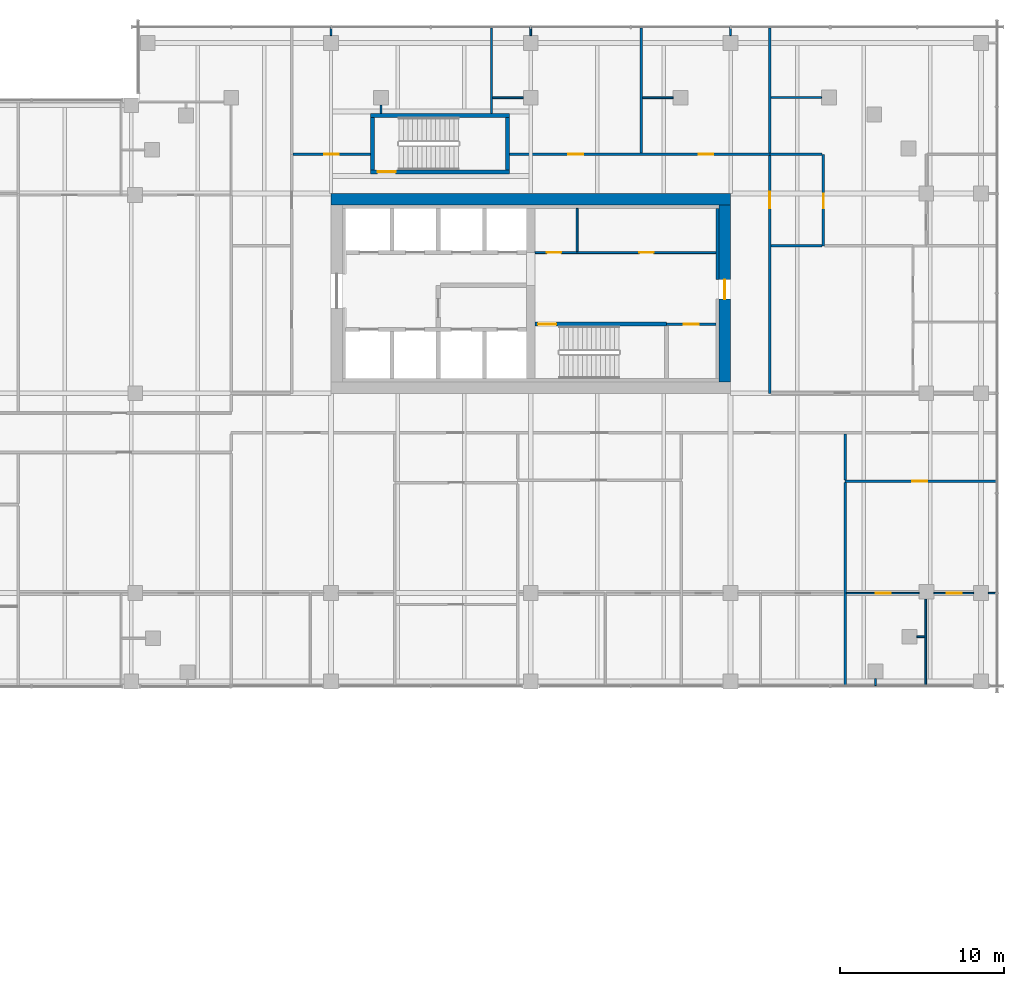
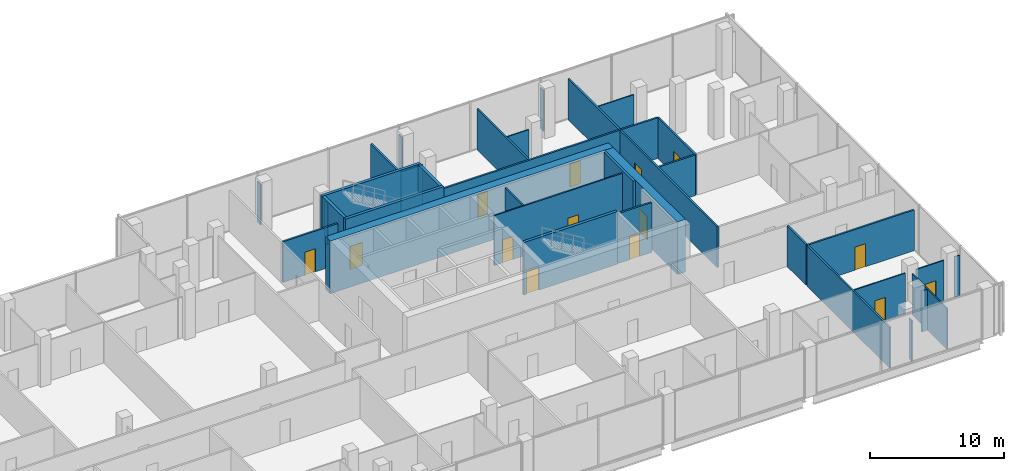
# One storey, part 28 of 33: 36 walls, 14 doors, 14 openings.
"""IFC4 building model written with IfcOpenShell, lengths in metres."""

from ifc_helpers import new_model, si_unit, direction, frame, frame_2d, origin, place, context, subcontext, project, spatial, rectangle, extrude, source, transform, mapped, material, layer, layer_set, type_object, element, fill, save


model = new_model("IFC4")

# Units and contexts
model_context = context("Model", 3, precision=1e-05, world=origin(), true_north=direction((0.0, 1.0)))
body_context = subcontext(model_context, "Body", "Model", "MODEL_VIEW")
ifc_project = project(units=[si_unit("LENGTHUNIT", "METRE"), si_unit("AREAUNIT", "SQUARE_METRE"), si_unit("VOLUMEUNIT", "CUBIC_METRE"), si_unit("PLANEANGLEUNIT", "RADIAN"), si_unit("MASSUNIT", "GRAM", prefix="KILO")], contexts=[model_context])

# Site, building, storey
site_placement = place(None, origin())
site = spatial("IfcSite", under=ifc_project, at=site_placement, CompositionType="ELEMENT")
building_placement = place(site_placement, origin())
building = spatial("IfcBuilding", under=site, at=building_placement, Name="Tessera Gate Towers", CompositionType="ELEMENT")
storey_placement = place(building_placement, frame((0.0, 0.0, 7.199951171875)))
storey = spatial("IfcBuildingStorey", under=building, at=storey_placement, Name="L01", CompositionType="ELEMENT", Elevation=7.199951171875)

# Wall, opening, door
ifc_material_1 = material(Name="Concrete C40/50", Category="concrete")
ifc_layer_1 = layer(ifc_material_1, 0.25)
ifc_layer_set_1 = layer_set([ifc_layer_1], Name="CORE ENCLOSURE WALL 250")
wall_type_1 = type_object("IfcWallType", Name="CORE ENCLOSURE WALL 250", PredefinedType="SOLIDWALL", material=ifc_layer_set_1)
wall_1_placement = place(storey_placement, frame((118.10009765625, 40.824951171875, 0.0), z_axis=(0.0, 0.0, 1.0), x_axis=(-1.0, 0.0, 0.0)))
wall_1 = element("IfcWall", 1, at=wall_1_placement, inside=storey, type_object=wall_type_1, Name="L01 shaft and stair enclosure wall", PredefinedType="SOLIDWALL", context=body_context, shape_type="SweptSolid", body=[
    extrude(rectangle(XDim=8.050048828125, YDim=0.25, at=frame_2d((4.02490234375, 0.0))), origin(), (0.0, 0.0, 1.0), 4.800048828125),
])
shared_shape_1 = source(origin(), body_context, "Body", "SweptSolid", [
    extrude(rectangle(XDim=1.10009765625, YDim=2.10009765625, at=frame_2d((0.550048828125, 1.050048828125))), frame((0.0, 0.135009765625, 0.0), z_axis=(0.0, -1.0, 0.0), x_axis=(1.0, 0.0, 0.0)), (0.0, 0.0, 1.0), 0.27001953125),
])
opening_1_placement = place(wall_1_placement, frame((6.75, 0.0, 0.0)))
opening_1 = element("IfcOpeningElement", 2, at=opening_1_placement, cuts=wall_1, Name="Opening SD-ST6-1", PredefinedType="OPENING", context=body_context, shape_type="MappedRepresentation", body=[
    mapped(shared_shape_1, transform((0.0, 0.0, 0.0), scale=1.0)),
])
ifc_material_2 = material(Name="Hollow steel fire door", Category="steel")
door_type_1 = type_object("IfcDoorType", Name="CORE DOOR SD1100 1100x2100", OperationType="NOTDEFINED", PredefinedType="DOOR", material=ifc_material_2)
shared_shape_2 = source(origin(), body_context, "Body", "SweptSolid", [
    extrude(rectangle(XDim=1.10009765625, YDim=2.10009765625, at=frame_2d((0.550048828125, 1.050048828125))), frame((0.0, 0.02490234375, 0.0), z_axis=(0.0, -1.0, 0.0), x_axis=(1.0, 0.0, 0.0)), (0.0, 0.0, 1.0), 0.050048828125),
])
door_1_placement = place(opening_1_placement, origin())
door_1 = element("IfcDoor", 3, at=door_1_placement, inside=storey, type_object=door_type_1, Name="Stair door", OperationType="SINGLE_SWING_RIGHT", OverallHeight=2.10009765625, OverallWidth=1.10009765625, PredefinedType="DOOR", context=body_context, shape_type="MappedRepresentation", body=[
    mapped(shared_shape_2, transform((0.0, 0.0, 0.0), scale=1.0)),
])
fill(opening_1, door_1)

wall_2_placement = place(storey_placement, frame((108.5, 50.125, 0.0), z_axis=(0.0, 0.0, 1.0), x_axis=(-1.0, 0.0, 0.0)))
wall_2 = element("IfcWall", 4, at=wall_2_placement, inside=storey, type_object=wall_type_1, Name="L01 ST7 enclosure wall", PredefinedType="SOLIDWALL", context=body_context, shape_type="SweptSolid", body=[
    extrude(rectangle(XDim=8.5, YDim=0.25, at=frame_2d((4.25, 0.0))), origin(), (0.0, 0.0, 1.0), 4.800048828125),
])
opening_2_placement = place(wall_2_placement, frame((6.949951171875, 0.0, 0.0)))
opening_2 = element("IfcOpeningElement", 5, at=opening_2_placement, cuts=wall_2, Name="Opening SD-ST7-1", PredefinedType="OPENING", context=body_context, shape_type="MappedRepresentation", body=[
    mapped(shared_shape_1, transform((0.0, 0.0, 0.0), scale=1.0)),
])
door_2_placement = place(opening_2_placement, origin())
door_2 = element("IfcDoor", 6, at=door_2_placement, inside=storey, type_object=door_type_1, Name="Stair door", OperationType="SINGLE_SWING_RIGHT", OverallHeight=2.10009765625, OverallWidth=1.10009765625, PredefinedType="DOOR", context=body_context, shape_type="MappedRepresentation", body=[
    mapped(shared_shape_2, transform((0.0, 0.0, 0.0), scale=1.0)),
])
fill(opening_2, door_2)

# Walls
wall_3_placement = place(storey_placement, frame((100.125, 50.25, 0.0), z_axis=(0.0, 0.0, 1.0), x_axis=(0.0, 1.0, 0.0)))
element("IfcWall", 7, at=wall_3_placement, inside=storey, type_object=wall_type_1, Name="L01 ST7 enclosure wall", PredefinedType="SOLIDWALL", context=body_context, shape_type="SweptSolid", body=[
    extrude(rectangle(XDim=3.199951171875, YDim=0.25, at=frame_2d((1.60009765625, 0.0))), origin(), (0.0, 0.0, 1.0), 4.800048828125),
])
wall_4_placement = place(storey_placement, frame((100.0, 53.574951171875, 0.0), z_axis=(0.0, 0.0, 1.0), x_axis=(1.0, 0.0, 0.0)))
element("IfcWall", 8, at=wall_4_placement, inside=storey, type_object=wall_type_1, Name="L01 ST7 enclosure wall", PredefinedType="SOLIDWALL", context=body_context, shape_type="SweptSolid", body=[
    extrude(rectangle(XDim=8.5, YDim=0.25, at=frame_2d((4.25, 0.0))), origin(), (0.0, 0.0, 1.0), 4.800048828125),
])
wall_5_placement = place(storey_placement, frame((108.375, 53.449951171875, 0.0), z_axis=(0.0, 0.0, 1.0), x_axis=(0.0, -1.0, 0.0)))
element("IfcWall", 9, at=wall_5_placement, inside=storey, type_object=wall_type_1, Name="L01 ST7 enclosure wall", PredefinedType="SOLIDWALL", context=body_context, shape_type="SweptSolid", body=[
    extrude(rectangle(XDim=3.199951171875, YDim=0.25, at=frame_2d((1.60009765625, 0.0))), origin(), (0.0, 0.0, 1.0), 4.800048828125),
])

# Wall, openings, doors
ifc_material_3 = material(Name="Gypsum board on steel studs", Category="steel")
ifc_layer_2 = layer(ifc_material_3, 0.1201171875)
ifc_layer_set_2 = layer_set([ifc_layer_2], Name="CORE PARTITION 120")
wall_type_2 = type_object("IfcWallType", Name="CORE PARTITION 120", PredefinedType="PARTITIONING", material=ifc_layer_set_2)
wall_6_placement = place(storey_placement, frame((110.050048828125, 45.199951171875, 0.0), z_axis=(0.0, 0.0, 1.0), x_axis=(1.0, 0.0, 0.0)))
wall_6 = element("IfcWall", 10, at=wall_6_placement, inside=storey, type_object=wall_type_2, Name="L01 core partition", PredefinedType="PARTITIONING", context=body_context, shape_type="SweptSolid", body=[
    extrude(rectangle(XDim=11.050048828125, YDim=0.1201171875, at=frame_2d((5.52490234375, 0.0))), origin(), (0.0, 0.0, 1.0), 4.550048828125),
])
shared_shape_3 = source(origin(), body_context, "Body", "SweptSolid", [
    extrude(rectangle(XDim=0.89990234375, YDim=2.10009765625, at=frame_2d((0.449951171875, 1.050048828125))), frame((0.0, 0.070068359375, 0.0), z_axis=(0.0, -1.0, 0.0), x_axis=(1.0, 0.0, 0.0)), (0.0, 0.0, 1.0), 0.14013671875),
])
opening_3_placement = place(wall_6_placement, frame((0.71240234375, 0.0, 0.0)))
opening_3 = element("IfcOpeningElement", 11, at=opening_3_placement, cuts=wall_6, Name="Opening RD-T2-03-04", PredefinedType="OPENING", context=body_context, shape_type="MappedRepresentation", body=[
    mapped(shared_shape_3, transform((0.0, 0.0, 0.0), scale=1.0)),
])
opening_4_placement = place(wall_6_placement, frame((6.362548828125, 0.0, 0.0)))
opening_4 = element("IfcOpeningElement", 12, at=opening_4_placement, cuts=wall_6, Name="Opening RD-T2-03-05", PredefinedType="OPENING", context=body_context, shape_type="MappedRepresentation", body=[
    mapped(shared_shape_3, transform((0.0, 0.0, 0.0), scale=1.0)),
])
ifc_material_4 = material(Name="Hollow steel fire door", Category="steel")
door_type_2 = type_object("IfcDoorType", Name="CORE DOOR RD 900x2100", OperationType="NOTDEFINED", PredefinedType="DOOR", material=ifc_material_4)
shared_shape_4 = source(origin(), body_context, "Body", "SweptSolid", [
    extrude(rectangle(XDim=0.89990234375, YDim=2.10009765625, at=frame_2d((0.449951171875, 1.050048828125))), frame((0.0, 0.02490234375, 0.0), z_axis=(0.0, -1.0, 0.0), x_axis=(1.0, 0.0, 0.0)), (0.0, 0.0, 1.0), 0.050048828125),
])
door_3_placement = place(opening_3_placement, origin())
door_3 = element("IfcDoor", 13, at=door_3_placement, inside=storey, type_object=door_type_2, Name="Core room door", OperationType="SINGLE_SWING_LEFT", OverallHeight=2.10009765625, OverallWidth=0.89990234375, PredefinedType="DOOR", context=body_context, shape_type="MappedRepresentation", body=[
    mapped(shared_shape_4, transform((0.0, 0.0, 0.0), scale=1.0)),
])
fill(opening_3, door_3)
door_4_placement = place(opening_4_placement, origin())
door_4 = element("IfcDoor", 14, at=door_4_placement, inside=storey, type_object=door_type_2, Name="Core room door", OperationType="SINGLE_SWING_RIGHT", OverallHeight=2.10009765625, OverallWidth=0.89990234375, PredefinedType="DOOR", context=body_context, shape_type="MappedRepresentation", body=[
    mapped(shared_shape_4, transform((0.0, 0.0, 0.0), scale=1.0)),
])
fill(opening_4, door_4)

# Walls
wall_7_placement = place(storey_placement, frame((112.625, 45.260009765625, 0.0), z_axis=(0.0, 0.0, 1.0), x_axis=(0.0, 1.0, 0.0)))
element("IfcWall", 15, at=wall_7_placement, inside=storey, type_object=wall_type_2, Name="L01 core partition", PredefinedType="PARTITIONING", context=body_context, shape_type="SweptSolid", body=[
    extrude(rectangle(XDim=2.639892578125, YDim=0.1201171875, at=frame_2d((1.31982421875, 0.0))), origin(), (0.0, 0.0, 1.0), 4.550048828125),
])
ifc_material_5 = material(Name="Concrete C60/75", Category="concrete")
ifc_layer_3 = layer(ifc_material_5, 0.699951171875)
ifc_layer_set_3 = layer_set([ifc_layer_3], Name="CORE SHEAR WALL 700 C60/75")
wall_type_3 = type_object("IfcWallType", Name="CORE SHEAR WALL 700 C60/75", PredefinedType="SHEAR", material=ifc_layer_set_3)
wall_8_placement = place(storey_placement, frame((97.60009765625, 48.449951171875, 0.0), z_axis=(0.0, 0.0, 1.0), x_axis=(1.0, 0.0, 0.0)))
element("IfcWall", 16, at=wall_8_placement, inside=storey, type_object=wall_type_3, Name="Core wall N L01", PredefinedType="SHEAR", context=body_context, shape_type="SweptSolid", body=[
    extrude(rectangle(XDim=24.39990234375, YDim=0.699951171875, at=frame_2d((12.199951171875, 0.0))), origin(), (0.0, 0.0, 1.0), 4.800048828125),
])

# Wall, opening, door
wall_9_placement = place(storey_placement, frame((121.64990234375, 48.10009765625, 0.0), z_axis=(0.0, 0.0, 1.0), x_axis=(0.0, -1.0, 0.0)))
wall_9 = element("IfcWall", 17, at=wall_9_placement, inside=storey, type_object=wall_type_3, Name="Core wall E L01", PredefinedType="SHEAR", context=body_context, shape_type="SweptSolid", body=[
    extrude(rectangle(XDim=10.800048828125, YDim=0.699951171875, at=frame_2d((5.39990234375, 0.0))), origin(), (0.0, 0.0, 1.0), 4.800048828125),
])
shared_shape_5 = source(origin(), body_context, "Body", "SweptSolid", [
    extrude(rectangle(XDim=1.199951171875, YDim=2.10009765625, at=frame_2d((0.60009765625, 1.050048828125))), frame((0.0, 0.35986328125, 0.0), z_axis=(0.0, -1.0, 0.0), x_axis=(1.0, 0.0, 0.0)), (0.0, 0.0, 1.0), 0.719970703125),
])
opening_5_placement = place(wall_9_placement, frame((4.550048828125, 0.0, 0.0)))
opening_5 = element("IfcOpeningElement", 18, at=opening_5_placement, cuts=wall_9, Name="Opening ED-T2-03-02", PredefinedType="OPENING", context=body_context, shape_type="MappedRepresentation", body=[
    mapped(shared_shape_5, transform((0.0, 0.0, 0.0), scale=1.0)),
])
ifc_material_6 = material(Name="Hollow steel fire door", Category="steel")
door_type_3 = type_object("IfcDoorType", Name="CORE DOOR ED 1200x2100", OperationType="NOTDEFINED", PredefinedType="DOOR", material=ifc_material_6)
shared_shape_6 = source(origin(), body_context, "Body", "SweptSolid", [
    extrude(rectangle(XDim=1.199951171875, YDim=2.10009765625, at=frame_2d((0.60009765625, 1.050048828125))), frame((0.0, 0.02490234375, 0.0), z_axis=(0.0, -1.0, 0.0), x_axis=(1.0, 0.0, 0.0)), (0.0, 0.0, 1.0), 0.050048828125),
])
door_5_placement = place(opening_5_placement, origin())
door_5 = element("IfcDoor", 19, at=door_5_placement, inside=storey, type_object=door_type_3, Name="Core exit door", OperationType="SINGLE_SWING_LEFT", OverallHeight=2.10009765625, OverallWidth=1.199951171875, PredefinedType="DOOR", context=body_context, shape_type="MappedRepresentation", body=[
    mapped(shared_shape_6, transform((0.0, 0.0, 0.0), scale=1.0)),
])
fill(opening_5, door_5)

# Wall
ifc_material_7 = material(Name="Concrete C60/75", Category="concrete")
ifc_layer_4 = layer(ifc_material_7, 0.199951171875)
ifc_layer_set_4 = layer_set([ifc_layer_4], Name="CORE WALL THICKENING 200")
wall_type_4 = type_object("IfcWallType", Name="CORE WALL THICKENING 200", PredefinedType="SOLIDWALL", material=ifc_layer_set_4)
wall_10_placement = place(storey_placement, frame((121.199951171875, 43.550048828125, 0.0), z_axis=(0.0, 0.0, 1.0), x_axis=(0.0, 1.0, 0.0)))
element("IfcWall", 20, at=wall_10_placement, inside=storey, type_object=wall_type_4, Name="Core wall thickening E L01", PredefinedType="SOLIDWALL", context=body_context, shape_type="SweptSolid", body=[
    extrude(rectangle(XDim=4.349853515625, YDim=0.199951171875, at=frame_2d((2.1748046875, 0.0))), origin(), (0.0, 0.0, 1.0), 4.800048828125),
])

# Wall, opening, door
ifc_material_8 = material(Name="Gypsum board on steel studs, mineral wool", Category="steel")
ifc_layer_5 = layer(ifc_material_8, 0.14990234375)
ifc_layer_set_5 = layer_set([ifc_layer_5], Name="CORRIDOR WALL 150")
wall_type_5 = type_object("IfcWallType", Name="CORRIDOR WALL 150", PredefinedType="PARTITIONING", material=ifc_layer_set_5)
wall_11_placement = place(storey_placement, frame((124.39990234375, 51.1240234375, 0.0), z_axis=(0.0, 0.0, 1.0), x_axis=(0.0, -1.0, 0.0)))
wall_11 = element("IfcWall", 21, at=wall_11_placement, inside=storey, type_object=wall_type_5, Name="PODIUM-L01-PW-075", PredefinedType="PARTITIONING", context=body_context, shape_type="SweptSolid", body=[
    extrude(rectangle(XDim=14.52392578125, YDim=0.14990234375, at=frame_2d((7.261962890625, 0.0))), origin(), (0.0, 0.0, 1.0), 3.715087890625),
])
shared_shape_7 = source(origin(), body_context, "Body", "SweptSolid", [
    extrude(rectangle(XDim=1.0, YDim=2.10009765625, at=frame_2d((0.5, 1.050048828125))), frame((0.0, 0.0849609375, 0.0), z_axis=(0.0, -1.0, 0.0), x_axis=(1.0, 0.0, 0.0)), (0.0, 0.0, 1.0), 0.169921875),
])
opening_6_placement = place(wall_11_placement, frame((2.222900390625, 0.0, 0.0)))
opening_6 = element("IfcOpeningElement", 22, at=opening_6_placement, cuts=wall_11, Name="Opening D2100FD60-P02-02", PredefinedType="OPENING", context=body_context, shape_type="MappedRepresentation", body=[
    mapped(shared_shape_7, transform((0.0, 0.0, 0.0), scale=1.0)),
])
ifc_material_9 = material(Name="Timber door leaf in steel frame", Category="steel")
door_type_4 = type_object("IfcDoorType", Name="TENANCY ENTRANCE DOOR 1000 FD60", OperationType="NOTDEFINED", PredefinedType="DOOR", material=ifc_material_9)
shared_shape_8 = source(origin(), body_context, "Body", "SweptSolid", [
    extrude(rectangle(XDim=1.0, YDim=2.10009765625, at=frame_2d((0.5, 1.050048828125))), frame((0.0, 0.02490234375, 0.0), z_axis=(0.0, -1.0, 0.0), x_axis=(1.0, 0.0, 0.0)), (0.0, 0.0, 1.0), 0.050048828125),
])
door_6_placement = place(opening_6_placement, origin())
door_6 = element("IfcDoor", 23, at=door_6_placement, inside=storey, type_object=door_type_4, Name="PODIUM-L01-PD-018", OperationType="SINGLE_SWING_RIGHT", OverallHeight=2.10009765625, OverallWidth=1.0, PredefinedType="DOOR", context=body_context, shape_type="MappedRepresentation", body=[
    mapped(shared_shape_8, transform((0.0, 0.0, 0.0), scale=1.0)),
])
fill(opening_6, door_6)

wall_12_placement = place(storey_placement, frame((95.27587890625, 51.199951171875, 0.0), z_axis=(0.0, 0.0, 1.0), x_axis=(1.0, 0.0, 0.0)))
wall_12 = element("IfcWall", 24, at=wall_12_placement, inside=storey, type_object=wall_type_5, Name="PODIUM-L01-PW-114", PredefinedType="PARTITIONING", context=body_context, shape_type="SweptSolid", body=[
    extrude(rectangle(XDim=4.72412109375, YDim=0.14990234375, at=frame_2d((2.362060546875, 0.0))), origin(), (0.0, 0.0, 1.0), 3.715087890625),
])
shared_shape_9 = source(origin(), body_context, "Body", "SweptSolid", [
    extrude(rectangle(XDim=0.89990234375, YDim=2.10009765625, at=frame_2d((0.449951171875, 1.050048828125))), frame((0.0, 0.0849609375, 0.0), z_axis=(0.0, -1.0, 0.0), x_axis=(1.0, 0.0, 0.0)), (0.0, 0.0, 1.0), 0.169921875),
])
opening_7_placement = place(wall_12_placement, frame((1.89990234375, 0.0, 0.0)))
opening_7 = element("IfcOpeningElement", 25, at=opening_7_placement, cuts=wall_12, Name="Opening D890FD60-P02-01", PredefinedType="OPENING", context=body_context, shape_type="MappedRepresentation", body=[
    mapped(shared_shape_9, transform((0.0, 0.0, 0.0), scale=1.0)),
])
ifc_material_10 = material(Name="Timber door leaf in steel frame", Category="steel")
door_type_5 = type_object("IfcDoorType", Name="CORRIDOR DOOR 900 FD60", OperationType="NOTDEFINED", PredefinedType="DOOR", material=ifc_material_10)
door_7_placement = place(opening_7_placement, origin())
door_7 = element("IfcDoor", 26, at=door_7_placement, inside=storey, type_object=door_type_5, Name="PODIUM-L01-PD-014", OperationType="SINGLE_SWING_LEFT", OverallHeight=2.10009765625, OverallWidth=0.89990234375, PredefinedType="DOOR", context=body_context, shape_type="MappedRepresentation", body=[
    mapped(shared_shape_4, transform((0.0, 0.0, 0.0), scale=1.0)),
])
fill(opening_7, door_7)

# Wall, openings, doors
wall_13_placement = place(storey_placement, frame((108.5, 51.199951171875, 0.0), z_axis=(0.0, 0.0, 1.0), x_axis=(1.0, 0.0, 0.0)))
wall_13 = element("IfcWall", 27, at=wall_13_placement, inside=storey, type_object=wall_type_5, Name="PODIUM-L01-PW-115", PredefinedType="PARTITIONING", context=body_context, shape_type="SweptSolid", body=[
    extrude(rectangle(XDim=15.89990234375, YDim=0.14990234375, at=frame_2d((7.949951171875, 0.0))), origin(), (0.0, 0.0, 1.0), 3.715087890625),
])
opening_8_placement = place(wall_13_placement, frame((11.551025390625, 0.0, 0.0)))
opening_8 = element("IfcOpeningElement", 28, at=opening_8_placement, cuts=wall_13, Name="Opening D890FD60-P02-03", PredefinedType="OPENING", context=body_context, shape_type="MappedRepresentation", body=[
    mapped(shared_shape_9, transform((0.0, 0.0, 0.0), scale=1.0)),
])
opening_9_placement = place(wall_13_placement, frame((3.60009765625, 0.0, 0.0)))
opening_9 = element("IfcOpeningElement", 29, at=opening_9_placement, cuts=wall_13, Name="Opening D890FD60-P02-04", PredefinedType="OPENING", context=body_context, shape_type="MappedRepresentation", body=[
    mapped(shared_shape_9, transform((0.0, 0.0, 0.0), scale=1.0)),
])
door_8_placement = place(opening_8_placement, origin())
door_8 = element("IfcDoor", 30, at=door_8_placement, inside=storey, type_object=door_type_5, Name="PODIUM-L01-PD-032", OperationType="SINGLE_SWING_LEFT", OverallHeight=2.10009765625, OverallWidth=0.89990234375, PredefinedType="DOOR", context=body_context, shape_type="MappedRepresentation", body=[
    mapped(shared_shape_4, transform((0.0, 0.0, 0.0), scale=1.0)),
])
fill(opening_8, door_8)
door_9_placement = place(opening_9_placement, origin())
door_9 = element("IfcDoor", 31, at=door_9_placement, inside=storey, type_object=door_type_5, Name="PODIUM-L01-PD-033", OperationType="SINGLE_SWING_LEFT", OverallHeight=2.10009765625, OverallWidth=0.89990234375, PredefinedType="DOOR", context=body_context, shape_type="MappedRepresentation", body=[
    mapped(shared_shape_4, transform((0.0, 0.0, 0.0), scale=1.0)),
])
fill(opening_9, door_9)

# Walls
ifc_material_11 = material(Name="Gypsum board on steel studs", Category="steel")
ifc_layer_6 = layer(ifc_material_11, 0.10009765625)
ifc_layer_set_6 = layer_set([ifc_layer_6], Name="PARTITION 100")
wall_type_6 = type_object("IfcWallType", Name="PARTITION 100", PredefinedType="PARTITIONING", material=ifc_layer_set_6)
wall_14_placement = place(storey_placement, frame((133.922119140625, 18.800048828125, 0.0), z_axis=(0.0, 0.0, 1.0), x_axis=(0.0, 1.0, 0.0)))
element("IfcWall", 32, at=wall_14_placement, inside=storey, type_object=wall_type_6, Name="PODIUM-L01-PW-022", PredefinedType="PARTITIONING", context=body_context, shape_type="SweptSolid", body=[
    extrude(rectangle(XDim=5.239013671875, YDim=0.10009765625, at=frame_2d((2.61962890625, 0.0))), origin(), (0.0, 0.0, 1.0), 3.715087890625),
])
wall_15_placement = place(storey_placement, frame((130.85595703125, 19.180908203125, 0.0), z_axis=(0.0, 0.0, 1.0), x_axis=(0.0, -1.0, 0.0)))
element("IfcWall", 33, at=wall_15_placement, inside=storey, type_object=wall_type_6, Name="PODIUM-L01-PW-024", PredefinedType="PARTITIONING", context=body_context, shape_type="SweptSolid", body=[
    extrude(rectangle(XDim=0.430908203125, YDim=0.10009765625, at=frame_2d((0.21533203125, 0.0))), origin(), (0.0, 0.0, 1.0), 3.715087890625),
])
wall_16_placement = place(storey_placement, frame((133.3759765625, 21.73095703125, 0.0), z_axis=(0.0, 0.0, 1.0), x_axis=(1.0, 0.0, 0.0)))
element("IfcWall", 34, at=wall_16_placement, inside=storey, type_object=wall_type_6, Name="PODIUM-L01-PW-027", PredefinedType="PARTITIONING", context=body_context, shape_type="SweptSolid", body=[
    extrude(rectangle(XDim=0.49609375, YDim=0.10009765625, at=frame_2d((0.248046875, 0.0))), origin(), (0.0, 0.0, 1.0), 3.715087890625),
])

# Wall, opening, door
wall_17_placement = place(storey_placement, frame((133.51611328125, 24.39990234375, 0.0), z_axis=(0.0, 0.0, 1.0), x_axis=(-1.0, 0.0, 0.0)))
wall_17 = element("IfcWall", 35, at=wall_17_placement, inside=storey, type_object=wall_type_6, Name="PODIUM-L01-PW-048", PredefinedType="PARTITIONING", context=body_context, shape_type="SweptSolid", body=[
    extrude(rectangle(XDim=4.440185546875, YDim=0.10009765625, at=frame_2d((2.22021484375, 0.0))), origin(), (0.0, 0.0, 1.0), 3.715087890625),
])
shared_shape_10 = source(origin(), body_context, "Body", "SweptSolid", [
    extrude(rectangle(XDim=0.89990234375, YDim=2.10009765625, at=frame_2d((0.449951171875, 1.050048828125))), frame((0.0, 0.06005859375, 0.0), z_axis=(0.0, -1.0, 0.0), x_axis=(1.0, 0.0, 0.0)), (0.0, 0.0, 1.0), 0.1201171875),
])
opening_10_placement = place(wall_17_placement, frame((1.739990234375, 0.0, 0.0)))
opening_10 = element("IfcOpeningElement", 36, at=opening_10_placement, cuts=wall_17, Name="Opening D190-P02-04", PredefinedType="OPENING", context=body_context, shape_type="MappedRepresentation", body=[
    mapped(shared_shape_10, transform((0.0, 0.0, 0.0), scale=1.0)),
])
ifc_material_12 = material(Name="Timber door leaf in steel frame", Category="steel")
door_type_6 = type_object("IfcDoorType", Name="INTERNAL DOOR 900 NOT RATED", OperationType="NOTDEFINED", PredefinedType="DOOR", material=ifc_material_12)
door_10_placement = place(opening_10_placement, origin())
door_10 = element("IfcDoor", 37, at=door_10_placement, inside=storey, type_object=door_type_6, Name="PODIUM-L01-PD-009", OperationType="SINGLE_SWING_RIGHT", OverallHeight=2.10009765625, OverallWidth=0.89990234375, PredefinedType="DOOR", context=body_context, shape_type="MappedRepresentation", body=[
    mapped(shared_shape_4, transform((0.0, 0.0, 0.0), scale=1.0)),
])
fill(opening_10, door_10)

wall_18_placement = place(storey_placement, frame((136.84912109375, 24.39990234375, 0.0), z_axis=(0.0, 0.0, 1.0), x_axis=(-1.0, 0.0, 0.0)))
wall_18 = element("IfcWall", 38, at=wall_18_placement, inside=storey, type_object=wall_type_6, Name="PODIUM-L01-PW-049", PredefinedType="PARTITIONING", context=body_context, shape_type="SweptSolid", body=[
    extrude(rectangle(XDim=2.43115234375, YDim=0.10009765625, at=frame_2d((1.215576171875, 0.0))), origin(), (0.0, 0.0, 1.0), 3.715087890625),
])
opening_11_placement = place(wall_18_placement, frame((0.73095703125, 0.0, 0.0)))
opening_11 = element("IfcOpeningElement", 39, at=opening_11_placement, cuts=wall_18, Name="Opening D190-P02-01", PredefinedType="OPENING", context=body_context, shape_type="MappedRepresentation", body=[
    mapped(shared_shape_10, transform((0.0, 0.0, 0.0), scale=1.0)),
])
door_11_placement = place(opening_11_placement, origin())
door_11 = element("IfcDoor", 40, at=door_11_placement, inside=storey, type_object=door_type_6, Name="PODIUM-L01-PD-001", OperationType="SINGLE_SWING_RIGHT", OverallHeight=2.10009765625, OverallWidth=0.89990234375, PredefinedType="DOOR", context=body_context, shape_type="MappedRepresentation", body=[
    mapped(shared_shape_4, transform((0.0, 0.0, 0.0), scale=1.0)),
])
fill(opening_11, door_11)

# Walls
wall_19_placement = place(storey_placement, frame((137.7509765625, 24.39990234375, 0.0), z_axis=(0.0, 0.0, 1.0), x_axis=(1.0, 0.0, 0.0)))
element("IfcWall", 41, at=wall_19_placement, inside=storey, type_object=wall_type_6, Name="PODIUM-L01-PW-050", PredefinedType="PARTITIONING", context=body_context, shape_type="SweptSolid", body=[
    extrude(rectangle(XDim=0.448974609375, YDim=0.10009765625, at=frame_2d((0.224609375, 0.0))), origin(), (0.0, 0.0, 1.0), 3.715087890625),
])
wall_20_placement = place(storey_placement, frame((100.64990234375, 54.199951171875, 0.0), z_axis=(0.0, 0.0, 1.0), x_axis=(0.0, -1.0, 0.0)))
element("IfcWall", 42, at=wall_20_placement, inside=storey, type_object=wall_type_6, Name="PODIUM-L01-PW-127", PredefinedType="PARTITIONING", context=body_context, shape_type="SweptSolid", body=[
    extrude(rectangle(XDim=0.5, YDim=0.10009765625, at=frame_2d((0.25, 0.0))), origin(), (0.0, 0.0, 1.0), 3.715087890625),
])
for number, where, z_axis, x_axis, name in (
    (43, (109.35009765625, 54.64990234375, 0.0), (0.0, 0.0, 1.0), (-1.0, 0.0, 0.0), "PODIUM-L01-PW-129"),
    (44, (118.5, 54.64990234375, 0.0), (0.0, 0.0, 1.0), (-1.0, 0.0, 0.0), "PODIUM-L01-PW-130"),
):
    element("IfcWall", number, at=place(storey_placement, frame(where, z_axis=z_axis, x_axis=x_axis)), inside=storey, type_object=wall_type_6, Name=name, PredefinedType="PARTITIONING", context=body_context, shape_type="SweptSolid", body=[
        extrude(rectangle(XDim=1.875, YDim=0.10009765625, at=frame_2d((0.9375, 0.0))), origin(), (0.0, 0.0, 1.0), 3.715087890625),
    ])
wall_21_placement = place(storey_placement, frame((127.56005859375, 54.6669921875, 0.0), z_axis=(0.0, 0.0, 1.0), x_axis=(-1.0, 0.0, 0.0)))
element("IfcWall", 45, at=wall_21_placement, inside=storey, type_object=wall_type_6, Name="PODIUM-L01-PW-131", PredefinedType="PARTITIONING", context=body_context, shape_type="SweptSolid", body=[
    extrude(rectangle(XDim=3.0849609375, YDim=0.10009765625, at=frame_2d((1.54248046875, 0.0))), origin(), (0.0, 0.0, 1.0), 3.715087890625),
])
for number, where, z_axis, x_axis, name in (
    (46, (97.60009765625, 58.449951171875, 0.0), (0.0, 0.0, 1.0), (0.0, 1.0, 0.0), "PODIUM-L01-PW-135"),
    (47, (109.800048828125, 58.449951171875, 0.0), (0.0, 0.0, 1.0), (0.0, 1.0, 0.0), "PODIUM-L01-PW-136"),
    (48, (122.0, 58.449951171875, 0.0), (0.0, 0.0, 1.0), (0.0, 1.0, 0.0), "PODIUM-L01-PW-137"),
):
    element("IfcWall", number, at=place(storey_placement, frame(where, z_axis=z_axis, x_axis=x_axis)), inside=storey, type_object=wall_type_6, Name=name, PredefinedType="PARTITIONING", context=body_context, shape_type="SweptSolid", body=[
        extrude(rectangle(XDim=0.5, YDim=0.10009765625, at=frame_2d((0.25, 0.0))), origin(), (0.0, 0.0, 1.0), 3.715087890625),
    ])

# Wall, opening, door
ifc_material_13 = material(Name="Gypsum board on steel studs", Category="steel")
ifc_layer_7 = layer(ifc_material_13, 0.14990234375)
ifc_layer_set_7 = layer_set([ifc_layer_7], Name="SERVICE ROOM WALL 150")
wall_type_7 = type_object("IfcWallType", Name="SERVICE ROOM WALL 150", PredefinedType="PARTITIONING", material=ifc_layer_set_7)
wall_22_placement = place(storey_placement, frame((121.10009765625, 40.824951171875, 0.0), z_axis=(0.0, 0.0, 1.0), x_axis=(-1.0, 0.0, 0.0)))
wall_22 = element("IfcWall", 49, at=wall_22_placement, inside=storey, type_object=wall_type_7, Name="L01 service room wall", PredefinedType="PARTITIONING", context=body_context, shape_type="SweptSolid", body=[
    extrude(rectangle(XDim=3.0, YDim=0.14990234375, at=frame_2d((1.5, 0.0))), origin(), (0.0, 0.0, 1.0), 4.550048828125),
])
opening_12_placement = place(wall_22_placement, frame((1.050048828125, 0.0, 0.0)))
opening_12 = element("IfcOpeningElement", 50, at=opening_12_placement, cuts=wall_22, Name="Opening RD-T2-03-06", PredefinedType="OPENING", context=body_context, shape_type="MappedRepresentation", body=[
    mapped(shared_shape_9, transform((0.0, 0.0, 0.0), scale=1.0)),
])
door_12_placement = place(opening_12_placement, origin())
door_12 = element("IfcDoor", 51, at=door_12_placement, inside=storey, type_object=door_type_2, Name="Core room door", OperationType="SINGLE_SWING_RIGHT", OverallHeight=2.10009765625, OverallWidth=0.89990234375, PredefinedType="DOOR", context=body_context, shape_type="MappedRepresentation", body=[
    mapped(shared_shape_4, transform((0.0, 0.0, 0.0), scale=1.0)),
])
fill(opening_12, door_12)

# Wall
ifc_material_14 = material(Name="Gypsum board on steel studs, mineral wool", Category="steel")
ifc_layer_8 = layer(ifc_material_14, 0.14990234375)
ifc_layer_set_8 = layer_set([ifc_layer_8], Name="TENANCY WALL 150")
wall_type_8 = type_object("IfcWallType", Name="TENANCY WALL 150", PredefinedType="PARTITIONING", material=ifc_layer_set_8)
wall_23_placement = place(storey_placement, frame((129.0, 18.800048828125, 0.0), z_axis=(0.0, 0.0, 1.0), x_axis=(0.0, 1.0, 0.0)))
element("IfcWall", 52, at=wall_23_placement, inside=storey, type_object=wall_type_8, Name="PODIUM-L01-PW-021", PredefinedType="PARTITIONING", context=body_context, shape_type="SweptSolid", body=[
    extrude(rectangle(XDim=12.348876953125, YDim=0.14990234375, at=frame_2d((6.17431640625, 0.0))), origin(), (0.0, 0.0, 1.0), 3.715087890625),
])

# Wall, opening, door
wall_24_placement = place(storey_placement, frame((138.199951171875, 31.22509765625, 0.0), z_axis=(0.0, 0.0, 1.0), x_axis=(-1.0, 0.0, 0.0)))
wall_24 = element("IfcWall", 53, at=wall_24_placement, inside=storey, type_object=wall_type_8, Name="PODIUM-L01-PW-058", PredefinedType="PARTITIONING", context=body_context, shape_type="SweptSolid", body=[
    extrude(rectangle(XDim=9.199951171875, YDim=0.14990234375, at=frame_2d((4.60009765625, 0.0))), origin(), (0.0, 0.0, 1.0), 3.715087890625),
])
opening_13_placement = place(wall_24_placement, frame((4.199951171875, 0.0, 0.0)))
opening_13 = element("IfcOpeningElement", 54, at=opening_13_placement, cuts=wall_24, Name="Opening D190-P02-17", PredefinedType="OPENING", context=body_context, shape_type="MappedRepresentation", body=[
    mapped(shared_shape_9, transform((0.0, 0.0, 0.0), scale=1.0)),
])
door_13_placement = place(opening_13_placement, origin())
door_13 = element("IfcDoor", 55, at=door_13_placement, inside=storey, type_object=door_type_6, Name="PODIUM-L01-PD-040", OperationType="SINGLE_SWING_RIGHT", OverallHeight=2.10009765625, OverallWidth=0.89990234375, PredefinedType="DOOR", context=body_context, shape_type="MappedRepresentation", body=[
    mapped(shared_shape_4, transform((0.0, 0.0, 0.0), scale=1.0)),
])
fill(opening_13, door_13)

# Walls
wall_25_placement = place(storey_placement, frame((129.0, 31.301025390625, 0.0), z_axis=(0.0, 0.0, 1.0), x_axis=(0.0, 1.0, 0.0)))
element("IfcWall", 56, at=wall_25_placement, inside=storey, type_object=wall_type_8, Name="PODIUM-L01-PW-060", PredefinedType="PARTITIONING", context=body_context, shape_type="SweptSolid", body=[
    extrude(rectangle(XDim=2.822998046875, YDim=0.14990234375, at=frame_2d((1.41162109375, 0.0))), origin(), (0.0, 0.0, 1.0), 3.715087890625),
])
wall_26_placement = place(storey_placement, frame((124.47607421875, 45.60009765625, 0.0), z_axis=(0.0, 0.0, 1.0), x_axis=(1.0, 0.0, 0.0)))
element("IfcWall", 57, at=wall_26_placement, inside=storey, type_object=wall_type_8, Name="PODIUM-L01-PW-089", PredefinedType="PARTITIONING", context=body_context, shape_type="SweptSolid", body=[
    extrude(rectangle(XDim=3.123046875, YDim=0.14990234375, at=frame_2d((1.5615234375, 0.0))), origin(), (0.0, 0.0, 1.0), 3.715087890625),
])

# Wall, opening, door
wall_27_placement = place(storey_placement, frame((127.675048828125, 51.199951171875, 0.0), z_axis=(0.0, 0.0, 1.0), x_axis=(0.0, -1.0, 0.0)))
wall_27 = element("IfcWall", 58, at=wall_27_placement, inside=storey, type_object=wall_type_8, Name="PODIUM-L01-PW-090", PredefinedType="PARTITIONING", context=body_context, shape_type="SweptSolid", body=[
    extrude(rectangle(XDim=5.599853515625, YDim=0.14990234375, at=frame_2d((2.7998046875, 0.0))), origin(), (0.0, 0.0, 1.0), 3.715087890625),
])
opening_14_placement = place(wall_27_placement, frame((2.39990234375, 0.0, 0.0)))
opening_14 = element("IfcOpeningElement", 59, at=opening_14_placement, cuts=wall_27, Name="Opening D190-P02-15", PredefinedType="OPENING", context=body_context, shape_type="MappedRepresentation", body=[
    mapped(shared_shape_9, transform((0.0, 0.0, 0.0), scale=1.0)),
])
door_14_placement = place(opening_14_placement, origin())
door_14 = element("IfcDoor", 60, at=door_14_placement, inside=storey, type_object=door_type_6, Name="PODIUM-L01-PD-037", OperationType="SINGLE_SWING_RIGHT", OverallHeight=2.10009765625, OverallWidth=0.89990234375, PredefinedType="DOOR", context=body_context, shape_type="MappedRepresentation", body=[
    mapped(shared_shape_4, transform((0.0, 0.0, 0.0), scale=1.0)),
])
fill(opening_14, door_14)

# Walls
wall_28_placement = place(storey_placement, frame((124.40087890625, 51.199951171875, 0.0), z_axis=(0.0, 0.0, 1.0), x_axis=(1.0, 0.0, 0.0)))
element("IfcWall", 61, at=wall_28_placement, inside=storey, type_object=wall_type_8, Name="PODIUM-L01-PW-116", PredefinedType="PARTITIONING", context=body_context, shape_type="SweptSolid", body=[
    extrude(rectangle(XDim=3.1982421875, YDim=0.14990234375, at=frame_2d((1.59912109375, 0.0))), origin(), (0.0, 0.0, 1.0), 3.715087890625),
])
for number, where, z_axis, x_axis, name in (
    (62, (116.550048828125, 51.27587890625, 0.0), (0.0, 0.0, 1.0), (0.0, 1.0, 0.0), "PODIUM-L01-PW-119"),
    (63, (124.39990234375, 51.27587890625, 0.0), (0.0, 0.0, 1.0), (0.0, 1.0, 0.0), "PODIUM-L01-PW-120"),
):
    element("IfcWall", number, at=place(storey_placement, frame(where, z_axis=z_axis, x_axis=x_axis)), inside=storey, type_object=wall_type_8, Name=name, PredefinedType="PARTITIONING", context=body_context, shape_type="SweptSolid", body=[
        extrude(rectangle(XDim=7.6240234375, YDim=0.14990234375, at=frame_2d((3.81201171875, 0.0))), origin(), (0.0, 0.0, 1.0), 3.715087890625),
    ])
wall_29_placement = place(storey_placement, frame((107.39990234375, 53.699951171875, 0.0), z_axis=(0.0, 0.0, 1.0), x_axis=(0.0, 1.0, 0.0)))
element("IfcWall", 64, at=wall_29_placement, inside=storey, type_object=wall_type_8, Name="PODIUM-L01-PW-125", PredefinedType="PARTITIONING", context=body_context, shape_type="SweptSolid", body=[
    extrude(rectangle(XDim=5.199951171875, YDim=0.14990234375, at=frame_2d((2.60009765625, 0.0))), origin(), (0.0, 0.0, 1.0), 3.715087890625),
])

save(model, "model.ifc")
